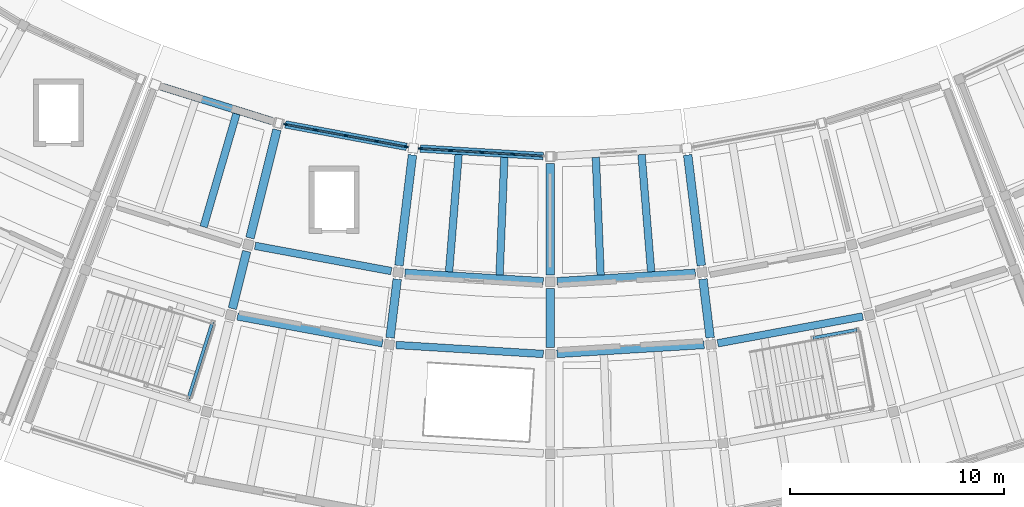
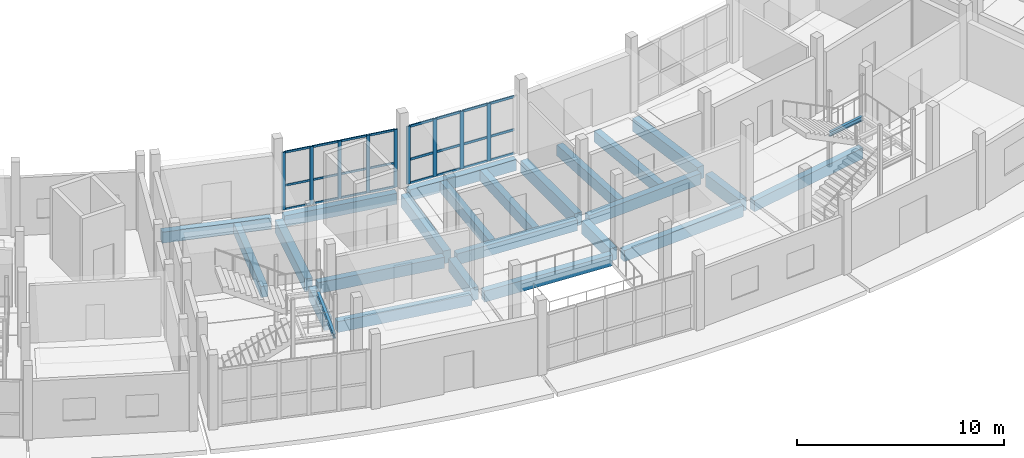
# One storey, part 33 of 92: 33 members, 25 beams, 2 elements without a shape of their own.
"""IFC4 building model written with IfcOpenShell, lengths in metres."""

from ifc_helpers import new_model, si_unit, direction, frame, origin, origin_2d, place, context, subcontext, project, spatial, rectangle, i_section, extrude, material, layer, layer_set, material_profile, profile_set, type_object, element, aggregate, save


model = new_model("IFC4")

# Units and contexts
model_context = context("Model", 3, precision=1e-05, world=origin(), true_north=direction((0.0, 1.0)))
body_context = subcontext(model_context, "Body", "Model", "MODEL_VIEW")
ifc_project = project(units=[si_unit("LENGTHUNIT", "METRE"), si_unit("AREAUNIT", "SQUARE_METRE"), si_unit("VOLUMEUNIT", "CUBIC_METRE"), si_unit("PLANEANGLEUNIT", "RADIAN"), si_unit("MASSUNIT", "GRAM", prefix="KILO")], contexts=[model_context])

# Site, building, storey
site_placement = place(None, origin())
site = spatial("IfcSite", under=ifc_project, at=site_placement, CompositionType="ELEMENT")
building_placement = place(site_placement, origin())
building = spatial("IfcBuilding", under=site, at=building_placement, Name="Caldaven Crescent School", CompositionType="ELEMENT")
storey_placement = place(building_placement, origin())
storey = spatial("IfcBuildingStorey", under=building, at=storey_placement, Name="L00", CompositionType="ELEMENT", Elevation=0.0)

# Beams
ifc_material_1 = material(Name="Concrete C30/37", Category="concrete")
ifc_material_profile_1 = material_profile(ifc_material_1, rectangle(XDim=0.35009765625, YDim=0.64990234375, at=origin_2d()), Name="RC 350x650")
ifc_profile_set_1 = profile_set([ifc_material_profile_1], Name="Concrete C30/37")
beam_type_1 = type_object("IfcBeamType", Name="BM-RC35", PredefinedType="BEAM", material=ifc_profile_set_1)
beam_1_placement = place(storey_placement, frame((73.34033203125, 45.5439453125, -0.5849609375), z_axis=(-0.279002947137, -0.960290245441, 0.0), x_axis=(0.960290245441, -0.279002947137, 0.0)))
element("IfcBeam", 1, at=beam_1_placement, inside=storey, type_object=beam_type_1, Name="JSR-V5-L00-0821", PredefinedType="BEAM", context=body_context, shape_type="SweptSolid", body=[
    extrude(rectangle(XDim=0.35009765625, YDim=0.64990234375, at=origin_2d()), origin(), (0.0, 0.0, 1.0), 5.50146484375),
])
beam_2_placement = place(storey_placement, frame((74.210693359375, 39.37353515625, -0.5849609375), z_axis=(0.98325150179, -0.182253900447, 0.0), x_axis=(0.182253900447, 0.98325150179, 0.0)))
element("IfcBeam", 2, at=beam_2_placement, inside=storey, type_object=beam_type_1, Name="BMT-V5-L00-0824", PredefinedType="BEAM", context=body_context, shape_type="SweptSolid", body=[
    extrude(rectangle(XDim=0.35009765625, YDim=0.64990234375, at=origin_2d()), origin(), (0.0, 0.0, 1.0), 6.47802734375),
])
beam_3_placement = place(storey_placement, frame((73.387939453125, 36.074462890625, -0.5849609375), z_axis=(0.983252165389, -0.182250320322, 0.0), x_axis=(0.182250320322, 0.983252165389, 0.0)))
element("IfcBeam", 3, at=beam_3_placement, inside=storey, type_object=beam_type_1, Name="BMT-V5-L00-0825", PredefinedType="BEAM", context=body_context, shape_type="SweptSolid", body=[
    extrude(rectangle(XDim=0.35009765625, YDim=0.64990234375, at=origin_2d()), origin(), (0.0, 0.0, 1.0), 6.8935546875),
])
beam_4_placement = place(storey_placement, frame((81.21435546875, 38.114990234375, -0.5849609375), z_axis=(0.998134690853, -0.06105029824, 0.0), x_axis=(0.06105029824, 0.998134690853, 0.0)))
element("IfcBeam", 4, at=beam_4_placement, inside=storey, type_object=beam_type_1, Name="BMT-V5-L00-0831", PredefinedType="BEAM", context=body_context, shape_type="SweptSolid", body=[
    extrude(rectangle(XDim=0.35009765625, YDim=0.64990234375, at=origin_2d()), origin(), (0.0, 0.0, 1.0), 6.478271484375),
])
beam_5_placement = place(storey_placement, frame((80.800048828125, 34.740478515625, -0.5849609375), z_axis=(0.998134250498, -0.061057497352, 0.0), x_axis=(0.061057497352, 0.998134250498, 0.0)))
element("IfcBeam", 5, at=beam_5_placement, inside=storey, type_object=beam_type_1, Name="BMT-V5-L00-0832", PredefinedType="BEAM", context=body_context, shape_type="SweptSolid", body=[
    extrude(rectangle(XDim=0.35009765625, YDim=0.64990234375, at=origin_2d()), origin(), (0.0, 0.0, 1.0), 6.8935546875),
])
beam_6_placement = place(storey_placement, frame((83.724853515625, 43.64111328125, -0.5849609375), z_axis=(-0.081407003089, -0.996680941851, 0.0), x_axis=(0.996680941851, -0.081407003089, 0.0)))
element("IfcBeam", 6, at=beam_6_placement, inside=storey, type_object=beam_type_1, Name="JSR-V5-L00-0835", PredefinedType="BEAM", context=body_context, shape_type="SweptSolid", body=[
    extrude(rectangle(XDim=0.35009765625, YDim=0.64990234375, at=origin_2d()), origin(), (0.0, 0.0, 1.0), 5.500244140625),
])
beam_7_placement = place(storey_placement, frame((85.8623046875, 43.510498046875, -0.5849609375), z_axis=(-0.040657571649, -0.999173139084, 0.0), x_axis=(0.999173139084, -0.040657571649, 0.0)))
element("IfcBeam", 7, at=beam_7_placement, inside=storey, type_object=beam_type_1, Name="JSR-V5-L00-0836", PredefinedType="BEAM", context=body_context, shape_type="SweptSolid", body=[
    extrude(rectangle(XDim=0.35009765625, YDim=0.64990234375, at=origin_2d()), origin(), (0.0, 0.0, 1.0), 5.50048828125),
])
beam_8_placement = place(storey_placement, frame((88.3193359375, 37.719482421875, -0.5849609375), z_axis=(0.998134690853, 0.06105029824, 0.0), x_axis=(-0.06105029824, 0.998134690853, 0.0)))
element("IfcBeam", 8, at=beam_8_placement, inside=storey, type_object=beam_type_1, Name="BMT-V5-L00-0838", PredefinedType="BEAM", context=body_context, shape_type="SweptSolid", body=[
    extrude(rectangle(XDim=0.35009765625, YDim=0.64990234375, at=origin_2d()), origin(), (0.0, 0.0, 1.0), 6.478271484375),
])
beam_9_placement = place(storey_placement, frame((88.3193359375, 34.319580078125, -0.5849609375), z_axis=(0.998134250498, 0.061057497352, 0.0), x_axis=(-0.061057497352, 0.998134250498, 0.0)))
element("IfcBeam", 9, at=beam_9_placement, inside=storey, type_object=beam_type_1, Name="BMT-V5-L00-0839", PredefinedType="BEAM", context=body_context, shape_type="SweptSolid", body=[
    extrude(rectangle(XDim=0.35009765625, YDim=0.64990234375, at=origin_2d()), origin(), (0.0, 0.0, 1.0), 6.8935546875),
])
beam_10_placement = place(storey_placement, frame((90.1376953125, 43.510498046875, -0.5849609375), z_axis=(0.040657571649, -0.999173139084, 0.0), x_axis=(0.999173139084, 0.040657571649, 0.0)))
element("IfcBeam", 10, at=beam_10_placement, inside=storey, type_object=beam_type_1, Name="JSR-V5-L00-0842", PredefinedType="BEAM", context=body_context, shape_type="SweptSolid", body=[
    extrude(rectangle(XDim=0.35009765625, YDim=0.64990234375, at=origin_2d()), origin(), (0.0, 0.0, 1.0), 5.50048828125),
])
beam_11_placement = place(storey_placement, frame((92.275146484375, 43.64111328125, -0.5849609375), z_axis=(0.081407003089, -0.996680941851, 0.0), x_axis=(0.996680941851, 0.081407003089, 0.0)))
element("IfcBeam", 11, at=beam_11_placement, inside=storey, type_object=beam_type_1, Name="JSR-V5-L00-0844", PredefinedType="BEAM", context=body_context, shape_type="SweptSolid", body=[
    extrude(rectangle(XDim=0.35009765625, YDim=0.64990234375, at=origin_2d()), origin(), (0.0, 0.0, 1.0), 5.500244140625),
])
beam_12_placement = place(storey_placement, frame((95.833984375, 34.818115234375, -0.5849609375), z_axis=(0.983252165389, 0.182250320322, 0.0), x_axis=(-0.182250320322, 0.983252165389, 0.0)))
element("IfcBeam", 12, at=beam_12_placement, inside=storey, type_object=beam_type_1, Name="BMT-V5-L00-0848", PredefinedType="BEAM", context=body_context, shape_type="SweptSolid", body=[
    extrude(rectangle(XDim=0.35009765625, YDim=0.64990234375, at=origin_2d()), origin(), (0.0, 0.0, 1.0), 6.8935546875),
])
ifc_material_2 = material(Name="Concrete C35/45", Category="concrete")
ifc_material_profile_2 = material_profile(ifc_material_2, rectangle(XDim=0.39990234375, YDim=0.75, at=origin_2d()), Name="RC 400x750")
ifc_profile_set_2 = profile_set([ifc_material_profile_2], Name="Concrete C35/45")
beam_type_2 = type_object("IfcBeamType", Name="BM-RC40", PredefinedType="BEAM", material=ifc_profile_set_2)
beam_13_placement = place(storey_placement, frame((75.23388671875, 44.797607421875, -0.635009765625), z_axis=(-0.241929176694, -0.970293910866, 0.0), x_axis=(0.970293910866, -0.241929176694, 0.0)))
element("IfcBeam", 13, at=beam_13_placement, inside=storey, type_object=beam_type_2, Name="BMR-V5-L00-0790", PredefinedType="BEAM", context=body_context, shape_type="SweptSolid", body=[
    extrude(rectangle(XDim=0.39990234375, YDim=0.75, at=origin_2d()), origin(), (0.0, 0.0, 1.0), 5.210205078125),
])
beam_14_placement = place(storey_placement, frame((73.818603515625, 39.121337890625, -0.635009765625), z_axis=(-0.241931983941, -0.970293210914, 0.0), x_axis=(0.970293210914, -0.241931983941, 0.0)))
element("IfcBeam", 14, at=beam_14_placement, inside=storey, type_object=beam_type_2, Name="BMR-V5-L00-0791", PredefinedType="BEAM", context=body_context, shape_type="SweptSolid", body=[
    extrude(rectangle(XDim=0.39990234375, YDim=0.75, at=origin_2d()), origin(), (0.0, 0.0, 1.0), 2.760009765625),
])
beam_15_placement = place(storey_placement, frame((81.56884765625, 43.623291015625, -0.635009765625), z_axis=(-0.121837038194, -0.992550117689, 0.0), x_axis=(0.992550117689, -0.121837038194, 0.0)))
element("IfcBeam", 15, at=beam_15_placement, inside=storey, type_object=beam_type_2, Name="BMR-V5-L00-0794", PredefinedType="BEAM", context=body_context, shape_type="SweptSolid", body=[
    extrude(rectangle(XDim=0.39990234375, YDim=0.75, at=origin_2d()), origin(), (0.0, 0.0, 1.0), 5.2099609375),
])
beam_16_placement = place(storey_placement, frame((80.85595703125, 37.81689453125, -0.635009765625), z_axis=(-0.121813326174, -0.992553028088, 0.0), x_axis=(0.992553028088, -0.121813326174, 0.0)))
element("IfcBeam", 16, at=beam_16_placement, inside=storey, type_object=beam_type_2, Name="BMR-V5-L00-0795", PredefinedType="BEAM", context=body_context, shape_type="SweptSolid", body=[
    extrude(rectangle(XDim=0.39990234375, YDim=0.75, at=origin_2d()), origin(), (0.0, 0.0, 1.0), 2.759765625),
])
beam_17_placement = place(storey_placement, frame((88.0, 43.22998046875, -0.635009765625), z_axis=(0.0, -1.0, 0.0), x_axis=(1.0, 0.0, 0.0)))
element("IfcBeam", 17, at=beam_17_placement, inside=storey, type_object=beam_type_2, Name="BMR-V5-L00-0798", PredefinedType="BEAM", context=body_context, shape_type="SweptSolid", body=[
    extrude(rectangle(XDim=0.39990234375, YDim=0.75, at=origin_2d()), origin(), (0.0, 0.0, 1.0), 5.2099609375),
])
beam_18_placement = place(storey_placement, frame((88.0, 37.3798828125, -0.635009765625), z_axis=(0.0, -1.0, 0.0), x_axis=(1.0, 0.0, 0.0)))
element("IfcBeam", 18, at=beam_18_placement, inside=storey, type_object=beam_type_2, Name="BMR-V5-L00-0799", PredefinedType="BEAM", context=body_context, shape_type="SweptSolid", body=[
    extrude(rectangle(XDim=0.39990234375, YDim=0.75, at=origin_2d()), origin(), (0.0, 0.0, 1.0), 2.759765625),
])
beam_19_placement = place(storey_placement, frame((94.43115234375, 43.623291015625, -0.635009765625), z_axis=(0.121837038194, -0.992550117689, 0.0), x_axis=(0.992550117689, 0.121837038194, 0.0)))
element("IfcBeam", 19, at=beam_19_placement, inside=storey, type_object=beam_type_2, Name="BMR-V5-L00-0802", PredefinedType="BEAM", context=body_context, shape_type="SweptSolid", body=[
    extrude(rectangle(XDim=0.39990234375, YDim=0.75, at=origin_2d()), origin(), (0.0, 0.0, 1.0), 5.2099609375),
])
beam_20_placement = place(storey_placement, frame((95.14404296875, 37.81689453125, -0.635009765625), z_axis=(0.121813326174, -0.992553028088, 0.0), x_axis=(0.992553028088, 0.121813326174, 0.0)))
element("IfcBeam", 20, at=beam_20_placement, inside=storey, type_object=beam_type_2, Name="BMR-V5-L00-0803", PredefinedType="BEAM", context=body_context, shape_type="SweptSolid", body=[
    extrude(rectangle(XDim=0.39990234375, YDim=0.75, at=origin_2d()), origin(), (0.0, 0.0, 1.0), 2.759765625),
])
ifc_material_3 = material(Name="Steel ASTM A572 Grade 50", Category="steel")
ifc_material_profile_3 = material_profile(ifc_material_3, i_section(OverallWidth=0.14599609375, OverallDepth=0.258056640625, WebThickness=0.006103515625, FlangeThickness=0.009033203125, FilletRadius=0.011962890625, at=origin_2d()), Name="W250x33")
ifc_profile_set_3 = profile_set([ifc_material_profile_3], Name="Steel ASTM A572 Grade 50")
beam_type_3 = type_object("IfcBeamType", Name="BM-W25", PredefinedType="BEAM", material=ifc_profile_set_3)
beam_21_placement = place(storey_placement, frame((71.09521484375, 32.242431640625, 1.885986328125), z_axis=(0.300734578137, 0.953707876403, 0.0), x_axis=(-0.953707876403, 0.300734578137, 0.0)))
element("IfcBeam", 21, at=beam_21_placement, inside=storey, type_object=beam_type_3, Name="BM-STLND-ST2-L00-OUT", PredefinedType="BEAM", context=body_context, shape_type="SweptSolid", body=[
    extrude(i_section(OverallWidth=0.14599609375, OverallDepth=0.258056640625, WebThickness=0.006103515625, FlangeThickness=0.009033203125, FilletRadius=0.011962890625, at=origin_2d()), origin(), (0.0, 0.0, 1.0), 3.739990234375),
])
beam_22_placement = place(storey_placement, frame((100.28955078125, 35.0693359375, 1.885986328125), z_axis=(0.983254881215, 0.18223566766, 0.0), x_axis=(-0.18223566766, 0.983254881215, 0.0)))
element("IfcBeam", 22, at=beam_22_placement, inside=storey, type_object=beam_type_3, Name="BM-STSIDE-ST3-L00-SR", PredefinedType="BEAM", context=body_context, shape_type="SweptSolid", body=[
    extrude(i_section(OverallWidth=0.14599609375, OverallDepth=0.258056640625, WebThickness=0.006103515625, FlangeThickness=0.009033203125, FilletRadius=0.011962890625, at=origin_2d()), origin(), (0.0, 0.0, 1.0), 2.08984375),
])

# Curtain wall, members
ifc_material_4 = material(Name="Anodised aluminium AA 6063-T6 and low-E double glazing", Category="aluminium")
ifc_layer_1 = layer(ifc_material_4, 0.22998046875)
ifc_layer_set_1 = layer_set([ifc_layer_1], Name="Anodised aluminium AA 6063-T6 and low-E double glazing")
curtain_wall_type_1 = type_object("IfcCurtainWallType", Name="CW-SYS4", PredefinedType="NOTDEFINED", material=ifc_layer_set_1)
curtain_wall_1_placement = place(storey_placement, origin())
curtain_wall_1 = element("IfcCurtainWall", 23, at=curtain_wall_1_placement, inside=storey, type_object=curtain_wall_type_1, Name="CW-L00-108", PredefinedType="NOTDEFINED")
ifc_material_5 = material(Name="Anodised aluminium AA 6063-T6", Category="aluminium")
ifc_material_profile_4 = material_profile(ifc_material_5, rectangle(XDim=0.06494140625, YDim=0.179931640625, at=origin_2d()), Name="CWM 65x180")
ifc_profile_set_4 = profile_set([ifc_material_profile_4], Name="Anodised aluminium AA 6063-T6")
member_type_1 = type_object("IfcMemberType", Name="CWM-T2", PredefinedType="MULLION", material=ifc_profile_set_4)
member_1_placement = place(storey_placement, frame((75.63818359375, 45.04736328125, 0.0), z_axis=(0.0, 0.0, 1.0), x_axis=(0.182236405836, 0.983254744401, 0.0)))
member_1 = element("IfcMember", 24, at=member_1_placement, type_object=member_type_1, Name="CW4 mullion 1", PredefinedType="MULLION", context=body_context, shape_type="SweptSolid", body=[
    extrude(rectangle(XDim=0.06494140625, YDim=0.179931640625, at=origin_2d()), origin(), (0.0, 0.0, 1.0), 3.39990234375),
])
member_2_placement = place(storey_placement, frame((77.032958984375, 44.788818359375, 0.0), z_axis=(0.0, 0.0, 1.0), x_axis=(0.182236405836, 0.983254744401, 0.0)))
member_2 = element("IfcMember", 25, at=member_2_placement, type_object=member_type_1, Name="CW4 mullion 2", PredefinedType="MULLION", context=body_context, shape_type="SweptSolid", body=[
    extrude(rectangle(XDim=0.06494140625, YDim=0.179931640625, at=origin_2d()), origin(), (0.0, 0.0, 1.0), 3.39990234375),
])
member_3_placement = place(storey_placement, frame((78.45947265625, 44.5244140625, 0.0), z_axis=(0.0, 0.0, 1.0), x_axis=(0.182236405836, 0.983254744401, 0.0)))
member_3 = element("IfcMember", 26, at=member_3_placement, type_object=member_type_1, Name="CW4 mullion 3", PredefinedType="MULLION", context=body_context, shape_type="SweptSolid", body=[
    extrude(rectangle(XDim=0.06494140625, YDim=0.179931640625, at=origin_2d()), origin(), (0.0, 0.0, 1.0), 3.39990234375),
])
member_4_placement = place(storey_placement, frame((79.88623046875, 44.260009765625, 0.0), z_axis=(0.0, 0.0, 1.0), x_axis=(0.182236405836, 0.983254744401, 0.0)))
member_4 = element("IfcMember", 27, at=member_4_placement, type_object=member_type_1, Name="CW4 mullion 4", PredefinedType="MULLION", context=body_context, shape_type="SweptSolid", body=[
    extrude(rectangle(XDim=0.06494140625, YDim=0.179931640625, at=origin_2d()), origin(), (0.0, 0.0, 1.0), 3.39990234375),
])
member_5_placement = place(storey_placement, frame((81.281005859375, 44.00146484375, 0.0), z_axis=(0.0, 0.0, 1.0), x_axis=(0.182236405836, 0.983254744401, 0.0)))
member_5 = element("IfcMember", 28, at=member_5_placement, type_object=member_type_1, Name="CW4 mullion 5", PredefinedType="MULLION", context=body_context, shape_type="SweptSolid", body=[
    extrude(rectangle(XDim=0.06494140625, YDim=0.179931640625, at=origin_2d()), origin(), (0.0, 0.0, 1.0), 3.39990234375),
])

ifc_layer_2 = layer(ifc_material_4, 0.169921875)
ifc_layer_set_2 = layer_set([ifc_layer_2], Name="Anodised aluminium AA 6063-T6 and low-E double glazing")
curtain_wall_type_2 = type_object("IfcCurtainWallType", Name="CW-SYS1", PredefinedType="NOTDEFINED", material=ifc_layer_set_2)
curtain_wall_2_placement = place(storey_placement, origin())
curtain_wall_2 = element("IfcCurtainWall", 29, at=curtain_wall_2_placement, inside=storey, type_object=curtain_wall_type_2, Name="CW-L00-109", PredefinedType="NOTDEFINED")
ifc_material_profile_5 = material_profile(ifc_material_5, rectangle(XDim=0.070068359375, YDim=0.2099609375, at=origin_2d()), Name="CWM 70x210")
ifc_profile_set_5 = profile_set([ifc_material_profile_5], Name="Anodised aluminium AA 6063-T6")
member_type_2 = type_object("IfcMemberType", Name="CWM-T3", PredefinedType="MULLION", material=ifc_profile_set_5)
member_6_placement = place(storey_placement, frame((81.9423828125, 43.92041015625, 0.0), z_axis=(0.0, 0.0, 1.0), x_axis=(0.061049319496, 0.998134750717, 0.0)))
member_6 = element("IfcMember", 30, at=member_6_placement, type_object=member_type_2, Name="CW1 mullion 1", PredefinedType="MULLION", context=body_context, shape_type="SweptSolid", body=[
    extrude(rectangle(XDim=0.070068359375, YDim=0.2099609375, at=origin_2d()), origin(), (0.0, 0.0, 1.0), 3.39990234375),
])
member_7_placement = place(storey_placement, frame((83.355712890625, 43.833984375, 0.0), z_axis=(0.0, 0.0, 1.0), x_axis=(0.061049319496, 0.998134750717, 0.0)))
member_7 = element("IfcMember", 31, at=member_7_placement, type_object=member_type_2, Name="CW1 mullion 2", PredefinedType="MULLION", context=body_context, shape_type="SweptSolid", body=[
    extrude(rectangle(XDim=0.070068359375, YDim=0.2099609375, at=origin_2d()), origin(), (0.0, 0.0, 1.0), 3.39990234375),
])
member_8_placement = place(storey_placement, frame((84.803955078125, 43.745361328125, 0.0), z_axis=(0.0, 0.0, 1.0), x_axis=(0.061049319496, 0.998134750717, 0.0)))
member_8 = element("IfcMember", 32, at=member_8_placement, type_object=member_type_2, Name="CW1 mullion 3", PredefinedType="MULLION", context=body_context, shape_type="SweptSolid", body=[
    extrude(rectangle(XDim=0.070068359375, YDim=0.2099609375, at=origin_2d()), origin(), (0.0, 0.0, 1.0), 3.39990234375),
])
member_9_placement = place(storey_placement, frame((86.252197265625, 43.656982421875, 0.0), z_axis=(0.0, 0.0, 1.0), x_axis=(0.061049319496, 0.998134750717, 0.0)))
member_9 = element("IfcMember", 33, at=member_9_placement, type_object=member_type_2, Name="CW1 mullion 4", PredefinedType="MULLION", context=body_context, shape_type="SweptSolid", body=[
    extrude(rectangle(XDim=0.070068359375, YDim=0.2099609375, at=origin_2d()), origin(), (0.0, 0.0, 1.0), 3.39990234375),
])

# Member
ifc_material_profile_6 = material_profile(ifc_material_5, rectangle(XDim=0.06005859375, YDim=0.1201171875, at=origin_2d()), Name="CWT 60x120")
ifc_profile_set_6 = profile_set([ifc_material_profile_6], Name="Anodised aluminium AA 6063-T6")
member_type_3 = type_object("IfcMemberType", Name="CWT-T1", PredefinedType="USERDEFINED", material=ifc_profile_set_6)
member_10_placement = place(storey_placement, frame((75.670166015625, 45.04150390625, 0.030029296875), z_axis=(0.983264057672, -0.182186149009, 0.0), x_axis=(0.182186149009, 0.983264057672, 0.0)))
member_10 = element("IfcMember", 34, at=member_10_placement, type_object=member_type_3, Name="CW4 transom 1.1", ObjectType="TRANSOM", PredefinedType="USERDEFINED", context=body_context, shape_type="SweptSolid", body=[
    extrude(rectangle(XDim=0.06005859375, YDim=0.1201171875, at=origin_2d()), origin(), (0.0, 0.0, 1.0), 1.353515625),
])

member_11_placement = place(storey_placement, frame((75.670166015625, 45.04150390625, 1.427978515625), z_axis=(0.983264057672, -0.182186149009, 0.0), x_axis=(0.182186149009, 0.983264057672, 0.0)))
member_11 = element("IfcMember", 35, at=member_11_placement, type_object=member_type_3, Name="CW4 transom 1.2", ObjectType="TRANSOM", PredefinedType="USERDEFINED", context=body_context, shape_type="SweptSolid", body=[
    extrude(rectangle(XDim=0.06005859375, YDim=0.1201171875, at=origin_2d()), origin(), (0.0, 0.0, 1.0), 1.353515625),
])

member_12_placement = place(storey_placement, frame((75.670166015625, 45.04150390625, 3.3701171875), z_axis=(0.983264057672, -0.182186149009, 0.0), x_axis=(0.182186149009, 0.983264057672, 0.0)))
member_12 = element("IfcMember", 36, at=member_12_placement, type_object=member_type_3, Name="CW4 transom 1.3", ObjectType="TRANSOM", PredefinedType="USERDEFINED", context=body_context, shape_type="SweptSolid", body=[
    extrude(rectangle(XDim=0.06005859375, YDim=0.1201171875, at=origin_2d()), origin(), (0.0, 0.0, 1.0), 1.353515625),
])

member_13_placement = place(storey_placement, frame((77.06494140625, 44.782958984375, 0.030029296875), z_axis=(0.983241097753, -0.182310020812, 0.0), x_axis=(0.182310020812, 0.983241097753, 0.0)))
member_13 = element("IfcMember", 37, at=member_13_placement, type_object=member_type_3, Name="CW4 transom 2.1", ObjectType="TRANSOM", PredefinedType="USERDEFINED", context=body_context, shape_type="SweptSolid", body=[
    extrude(rectangle(XDim=0.06005859375, YDim=0.1201171875, at=origin_2d()), origin(), (0.0, 0.0, 1.0), 1.385986328125),
])

member_14_placement = place(storey_placement, frame((77.06494140625, 44.782958984375, 1.427978515625), z_axis=(0.983241097753, -0.182310020812, 0.0), x_axis=(0.182310020812, 0.983241097753, 0.0)))
member_14 = element("IfcMember", 38, at=member_14_placement, type_object=member_type_3, Name="CW4 transom 2.2", ObjectType="TRANSOM", PredefinedType="USERDEFINED", context=body_context, shape_type="SweptSolid", body=[
    extrude(rectangle(XDim=0.06005859375, YDim=0.1201171875, at=origin_2d()), origin(), (0.0, 0.0, 1.0), 1.385986328125),
])

member_15_placement = place(storey_placement, frame((77.06494140625, 44.782958984375, 3.3701171875), z_axis=(0.983241097753, -0.182310020812, 0.0), x_axis=(0.182310020812, 0.983241097753, 0.0)))
member_15 = element("IfcMember", 39, at=member_15_placement, type_object=member_type_3, Name="CW4 transom 2.3", ObjectType="TRANSOM", PredefinedType="USERDEFINED", context=body_context, shape_type="SweptSolid", body=[
    extrude(rectangle(XDim=0.06005859375, YDim=0.1201171875, at=origin_2d()), origin(), (0.0, 0.0, 1.0), 1.385986328125),
])

member_16_placement = place(storey_placement, frame((78.491455078125, 44.5185546875, 0.030029296875), z_axis=(0.983241097753, -0.182310020812, 0.0), x_axis=(0.182310020812, 0.983241097753, 0.0)))
member_16 = element("IfcMember", 40, at=member_16_placement, type_object=member_type_3, Name="CW4 transom 3.1", ObjectType="TRANSOM", PredefinedType="USERDEFINED", context=body_context, shape_type="SweptSolid", body=[
    extrude(rectangle(XDim=0.06005859375, YDim=0.1201171875, at=origin_2d()), origin(), (0.0, 0.0, 1.0), 1.385986328125),
])

member_17_placement = place(storey_placement, frame((78.491455078125, 44.5185546875, 1.427978515625), z_axis=(0.983241097753, -0.182310020812, 0.0), x_axis=(0.182310020812, 0.983241097753, 0.0)))
member_17 = element("IfcMember", 41, at=member_17_placement, type_object=member_type_3, Name="CW4 transom 3.2", ObjectType="TRANSOM", PredefinedType="USERDEFINED", context=body_context, shape_type="SweptSolid", body=[
    extrude(rectangle(XDim=0.06005859375, YDim=0.1201171875, at=origin_2d()), origin(), (0.0, 0.0, 1.0), 1.385986328125),
])

member_18_placement = place(storey_placement, frame((78.491455078125, 44.5185546875, 3.3701171875), z_axis=(0.983241097753, -0.182310020812, 0.0), x_axis=(0.182310020812, 0.983241097753, 0.0)))
member_18 = element("IfcMember", 42, at=member_18_placement, type_object=member_type_3, Name="CW4 transom 3.3", ObjectType="TRANSOM", PredefinedType="USERDEFINED", context=body_context, shape_type="SweptSolid", body=[
    extrude(rectangle(XDim=0.06005859375, YDim=0.1201171875, at=origin_2d()), origin(), (0.0, 0.0, 1.0), 1.385986328125),
])

member_19_placement = place(storey_placement, frame((79.918212890625, 44.254150390625, 0.030029296875), z_axis=(0.983264057672, -0.182186149009, 0.0), x_axis=(0.182186149009, 0.983264057672, 0.0)))
member_19 = element("IfcMember", 43, at=member_19_placement, type_object=member_type_3, Name="CW4 transom 4.1", ObjectType="TRANSOM", PredefinedType="USERDEFINED", context=body_context, shape_type="SweptSolid", body=[
    extrude(rectangle(XDim=0.06005859375, YDim=0.1201171875, at=origin_2d()), origin(), (0.0, 0.0, 1.0), 1.353515625),
])

member_20_placement = place(storey_placement, frame((79.918212890625, 44.254150390625, 1.427978515625), z_axis=(0.983264057672, -0.182186149009, 0.0), x_axis=(0.182186149009, 0.983264057672, 0.0)))
member_20 = element("IfcMember", 44, at=member_20_placement, type_object=member_type_3, Name="CW4 transom 4.2", ObjectType="TRANSOM", PredefinedType="USERDEFINED", context=body_context, shape_type="SweptSolid", body=[
    extrude(rectangle(XDim=0.06005859375, YDim=0.1201171875, at=origin_2d()), origin(), (0.0, 0.0, 1.0), 1.353515625),
])

member_21_placement = place(storey_placement, frame((79.918212890625, 44.254150390625, 3.3701171875), z_axis=(0.983264057672, -0.182186149009, 0.0), x_axis=(0.182186149009, 0.983264057672, 0.0)))
member_21 = element("IfcMember", 45, at=member_21_placement, type_object=member_type_3, Name="CW4 transom 4.3", ObjectType="TRANSOM", PredefinedType="USERDEFINED", context=body_context, shape_type="SweptSolid", body=[
    extrude(rectangle(XDim=0.06005859375, YDim=0.1201171875, at=origin_2d()), origin(), (0.0, 0.0, 1.0), 1.353515625),
])

aggregate(curtain_wall_1, [member_1, member_2, member_3, member_4, member_5, member_10, member_11, member_12, member_13, member_14, member_15, member_16, member_17, member_18, member_19, member_20, member_21])

ifc_material_profile_7 = material_profile(ifc_material_5, rectangle(XDim=0.06494140625, YDim=0.139892578125, at=origin_2d()), Name="CWT 65x140")
ifc_profile_set_7 = profile_set([ifc_material_profile_7], Name="Anodised aluminium AA 6063-T6")
member_type_4 = type_object("IfcMemberType", Name="CWT-T2", PredefinedType="USERDEFINED", material=ifc_profile_set_7)
member_22_placement = place(storey_placement, frame((81.977294921875, 43.91845703125, 0.032470703125), z_axis=(0.998130130323, -0.06112481445, 0.0), x_axis=(0.06112481445, 0.998130130323, 0.0)))
member_22 = element("IfcMember", 46, at=member_22_placement, type_object=member_type_4, Name="CW1 transom 1.1", ObjectType="TRANSOM", PredefinedType="USERDEFINED", context=body_context, shape_type="SweptSolid", body=[
    extrude(rectangle(XDim=0.06494140625, YDim=0.139892578125, at=origin_2d()), origin(), (0.0, 0.0, 1.0), 1.345947265625),
])

member_23_placement = place(storey_placement, frame((81.977294921875, 43.91845703125, 1.427978515625), z_axis=(0.998130130323, -0.06112481445, 0.0), x_axis=(0.06112481445, 0.998130130323, 0.0)))
member_23 = element("IfcMember", 47, at=member_23_placement, type_object=member_type_4, Name="CW1 transom 1.2", ObjectType="TRANSOM", PredefinedType="USERDEFINED", context=body_context, shape_type="SweptSolid", body=[
    extrude(rectangle(XDim=0.06494140625, YDim=0.139892578125, at=origin_2d()), origin(), (0.0, 0.0, 1.0), 1.345947265625),
])

member_24_placement = place(storey_placement, frame((81.977294921875, 43.91845703125, 3.367431640625), z_axis=(0.998130130323, -0.06112481445, 0.0), x_axis=(0.06112481445, 0.998130130323, 0.0)))
member_24 = element("IfcMember", 48, at=member_24_placement, type_object=member_type_4, Name="CW1 transom 1.3", ObjectType="TRANSOM", PredefinedType="USERDEFINED", context=body_context, shape_type="SweptSolid", body=[
    extrude(rectangle(XDim=0.06494140625, YDim=0.139892578125, at=origin_2d()), origin(), (0.0, 0.0, 1.0), 1.345947265625),
])

member_25_placement = place(storey_placement, frame((83.390625, 43.83203125, 0.032470703125), z_axis=(0.998127510881, -0.061167573285, 0.0), x_axis=(0.061167573285, 0.998127510881, 0.0)))
member_25 = element("IfcMember", 49, at=member_25_placement, type_object=member_type_4, Name="CW1 transom 2.1", ObjectType="TRANSOM", PredefinedType="USERDEFINED", context=body_context, shape_type="SweptSolid", body=[
    extrude(rectangle(XDim=0.06494140625, YDim=0.139892578125, at=origin_2d()), origin(), (0.0, 0.0, 1.0), 1.381103515625),
])

member_26_placement = place(storey_placement, frame((83.390625, 43.83203125, 1.427978515625), z_axis=(0.998127510881, -0.061167573285, 0.0), x_axis=(0.061167573285, 0.998127510881, 0.0)))
member_26 = element("IfcMember", 50, at=member_26_placement, type_object=member_type_4, Name="CW1 transom 2.2", ObjectType="TRANSOM", PredefinedType="USERDEFINED", context=body_context, shape_type="SweptSolid", body=[
    extrude(rectangle(XDim=0.06494140625, YDim=0.139892578125, at=origin_2d()), origin(), (0.0, 0.0, 1.0), 1.381103515625),
])

member_27_placement = place(storey_placement, frame((83.390625, 43.83203125, 3.367431640625), z_axis=(0.998127510881, -0.061167573285, 0.0), x_axis=(0.061167573285, 0.998127510881, 0.0)))
member_27 = element("IfcMember", 51, at=member_27_placement, type_object=member_type_4, Name="CW1 transom 2.3", ObjectType="TRANSOM", PredefinedType="USERDEFINED", context=body_context, shape_type="SweptSolid", body=[
    extrude(rectangle(XDim=0.06494140625, YDim=0.139892578125, at=origin_2d()), origin(), (0.0, 0.0, 1.0), 1.381103515625),
])

member_28_placement = place(storey_placement, frame((84.8388671875, 43.743408203125, 0.032470703125), z_axis=(0.998127510881, -0.061167573285, 0.0), x_axis=(0.061167573285, 0.998127510881, 0.0)))
member_28 = element("IfcMember", 52, at=member_28_placement, type_object=member_type_4, Name="CW1 transom 3.1", ObjectType="TRANSOM", PredefinedType="USERDEFINED", context=body_context, shape_type="SweptSolid", body=[
    extrude(rectangle(XDim=0.06494140625, YDim=0.139892578125, at=origin_2d()), origin(), (0.0, 0.0, 1.0), 1.381103515625),
])

member_29_placement = place(storey_placement, frame((84.8388671875, 43.743408203125, 1.427978515625), z_axis=(0.998127510881, -0.061167573285, 0.0), x_axis=(0.061167573285, 0.998127510881, 0.0)))
member_29 = element("IfcMember", 53, at=member_29_placement, type_object=member_type_4, Name="CW1 transom 3.2", ObjectType="TRANSOM", PredefinedType="USERDEFINED", context=body_context, shape_type="SweptSolid", body=[
    extrude(rectangle(XDim=0.06494140625, YDim=0.139892578125, at=origin_2d()), origin(), (0.0, 0.0, 1.0), 1.381103515625),
])

member_30_placement = place(storey_placement, frame((84.8388671875, 43.743408203125, 3.367431640625), z_axis=(0.998127510881, -0.061167573285, 0.0), x_axis=(0.061167573285, 0.998127510881, 0.0)))
member_30 = element("IfcMember", 54, at=member_30_placement, type_object=member_type_4, Name="CW1 transom 3.3", ObjectType="TRANSOM", PredefinedType="USERDEFINED", context=body_context, shape_type="SweptSolid", body=[
    extrude(rectangle(XDim=0.06494140625, YDim=0.139892578125, at=origin_2d()), origin(), (0.0, 0.0, 1.0), 1.381103515625),
])

member_31_placement = place(storey_placement, frame((86.287109375, 43.65478515625, 0.032470703125), z_axis=(0.998130130323, -0.06112481445, 0.0), x_axis=(0.06112481445, 0.998130130323, 0.0)))
member_31 = element("IfcMember", 55, at=member_31_placement, type_object=member_type_4, Name="CW1 transom 4.1", ObjectType="TRANSOM", PredefinedType="USERDEFINED", context=body_context, shape_type="SweptSolid", body=[
    extrude(rectangle(XDim=0.06494140625, YDim=0.139892578125, at=origin_2d()), origin(), (0.0, 0.0, 1.0), 1.345947265625),
])

member_32_placement = place(storey_placement, frame((86.287109375, 43.65478515625, 1.427978515625), z_axis=(0.998130130323, -0.06112481445, 0.0), x_axis=(0.06112481445, 0.998130130323, 0.0)))
member_32 = element("IfcMember", 56, at=member_32_placement, type_object=member_type_4, Name="CW1 transom 4.2", ObjectType="TRANSOM", PredefinedType="USERDEFINED", context=body_context, shape_type="SweptSolid", body=[
    extrude(rectangle(XDim=0.06494140625, YDim=0.139892578125, at=origin_2d()), origin(), (0.0, 0.0, 1.0), 1.345947265625),
])

member_33_placement = place(storey_placement, frame((86.287109375, 43.65478515625, 3.367431640625), z_axis=(0.998130130323, -0.06112481445, 0.0), x_axis=(0.06112481445, 0.998130130323, 0.0)))
member_33 = element("IfcMember", 57, at=member_33_placement, type_object=member_type_4, Name="CW1 transom 4.3", ObjectType="TRANSOM", PredefinedType="USERDEFINED", context=body_context, shape_type="SweptSolid", body=[
    extrude(rectangle(XDim=0.06494140625, YDim=0.139892578125, at=origin_2d()), origin(), (0.0, 0.0, 1.0), 1.345947265625),
])

aggregate(curtain_wall_2, [member_6, member_7, member_8, member_9, member_22, member_23, member_24, member_25, member_26, member_27, member_28, member_29, member_30, member_31, member_32, member_33])

# Beams
ifc_material_profile_8 = material_profile(ifc_material_1, rectangle(XDim=0.35009765625, YDim=0.64990234375, at=origin_2d()), Name="RC 350x650")
ifc_profile_set_8 = profile_set([ifc_material_profile_8], Name="Concrete C30/37")
beam_type_4 = type_object("IfcBeamType", Name="SP-RC35", PredefinedType="SPANDREL", material=ifc_profile_set_8)
beam_23_placement = place(storey_placement, frame((69.8466796875, 46.810302734375, -0.5849609375), z_axis=(0.954742499469, -0.297433622356, 0.0), x_axis=(0.297433622356, 0.954742499469, 0.0)))
element("IfcBeam", 58, at=beam_23_placement, inside=storey, type_object=beam_type_4, Name="BMT-V5-L00-0814", PredefinedType="SPANDREL", context=body_context, shape_type="SweptSolid", body=[
    extrude(rectangle(XDim=0.35009765625, YDim=0.64990234375, at=origin_2d()), origin(), (0.0, 0.0, 1.0), 5.403564453125),
])
beam_24_placement = place(storey_placement, frame((75.625732421875, 45.049560546875, -0.5849609375), z_axis=(0.983258403053, -0.18221666451, 0.0), x_axis=(0.18221666451, 0.983258403053, 0.0)))
element("IfcBeam", 59, at=beam_24_placement, inside=storey, type_object=beam_type_4, Name="BMT-V5-L00-0823", PredefinedType="SPANDREL", context=body_context, shape_type="SweptSolid", body=[
    extrude(rectangle(XDim=0.35009765625, YDim=0.64990234375, at=origin_2d()), origin(), (0.0, 0.0, 1.0), 5.763916015625),
])
beam_25_placement = place(storey_placement, frame((81.92724609375, 43.92138671875, -0.5849609375), z_axis=(0.998135723054, -0.061033420051, 0.0), x_axis=(0.061033420051, 0.998135723054, 0.0)))
element("IfcBeam", 60, at=beam_25_placement, inside=storey, type_object=beam_type_4, Name="BMT-V5-L00-0830", PredefinedType="SPANDREL", context=body_context, shape_type="SweptSolid", body=[
    extrude(rectangle(XDim=0.35009765625, YDim=0.64990234375, at=origin_2d()), origin(), (0.0, 0.0, 1.0), 5.76416015625),
])

save(model, "model.ifc")
